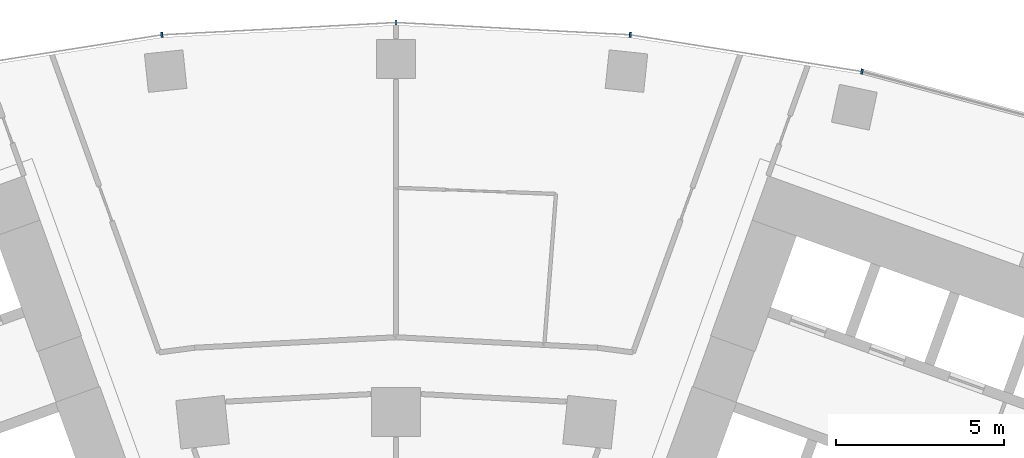
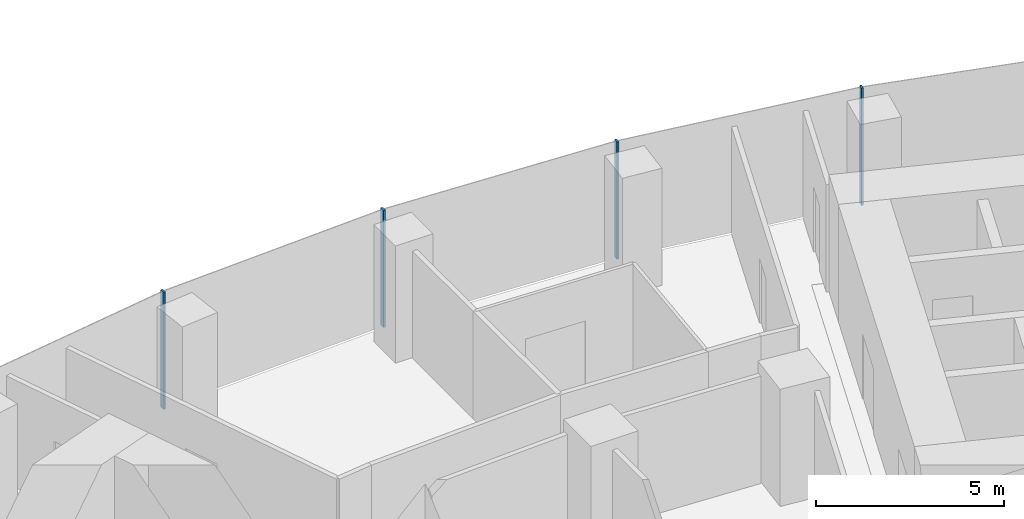
# One storey, part 6 of 20: 4 members, 1 element without a shape of its own.
"""IFC4 building model written with IfcOpenShell, lengths in metres."""

from ifc_helpers import new_model, si_unit, direction, frame, origin, origin_2d, place, context, subcontext, project, spatial, rectangle, extrude, material, layer, layer_set, material_profile, profile_set, type_object, element, aggregate, save


model = new_model("IFC4")

# Units and contexts
model_context = context("Model", 3, precision=1e-05, world=origin(), true_north=direction((0.0, 1.0)))
body_context = subcontext(model_context, "Body", "Model", "MODEL_VIEW")
ifc_project = project(units=[si_unit("LENGTHUNIT", "METRE"), si_unit("AREAUNIT", "SQUARE_METRE"), si_unit("VOLUMEUNIT", "CUBIC_METRE"), si_unit("PLANEANGLEUNIT", "RADIAN"), si_unit("MASSUNIT", "GRAM", prefix="KILO")], contexts=[model_context])

# Site, building, storey
site_placement = place(None, origin())
site = spatial("IfcSite", under=ifc_project, at=site_placement, CompositionType="ELEMENT")
building_placement = place(site_placement, origin())
building = spatial("IfcBuilding", under=site, at=building_placement, Name="Stone Belt Terrace Tower", CompositionType="ELEMENT")
storey_placement = place(building_placement, frame((0.0, 0.0, 102.199951171875)))
storey = spatial("IfcBuildingStorey", under=building, at=storey_placement, Name="L24", CompositionType="ELEMENT", Elevation=102.199951171875)

# Curtain wall, members
ifc_material = material(Name="Aluminium 6063-T6 anodised frame", Category="aluminium")
ifc_layer = layer(ifc_material, 0.14990234375)
ifc_layer_set = layer_set([ifc_layer], Name="CW-A unitised convex-face curtain wall")
curtain_wall_type = type_object("IfcCurtainWallType", Name="CW-A unitised convex-face curtain wall", PredefinedType="NOTDEFINED", material=ifc_layer_set)
curtain_wall_placement = place(storey_placement, origin())
curtain_wall = element("IfcCurtainWall", 1, at=curtain_wall_placement, inside=storey, type_object=curtain_wall_type, Name="CW-A convex face L24", PredefinedType="NOTDEFINED")
ifc_material_profile = material_profile(ifc_material, rectangle(XDim=0.14990234375, YDim=0.06005859375, at=origin_2d()), Name="Aluminium 6063-T6 60x150")
ifc_profile_set = profile_set([ifc_material_profile], Name="Aluminium 6063-T6 anodised frame")
member_type = type_object("IfcMemberType", Name="CW-A mullion 60 x 150", PredefinedType="MULLION", material=ifc_profile_set)
member_1_placement = place(storey_placement, frame((13.841796875, 65.120361328125, 0.0), z_axis=(0.0, 0.0, 1.0), x_axis=(-0.207911690818, -0.978147600734, 0.0)))
member_1 = element("IfcMember", 2, at=member_1_placement, type_object=member_type, Name="CW-A mullion 8", PredefinedType="MULLION", context=body_context, shape_type="SweptSolid", body=[
    extrude(rectangle(XDim=0.14990234375, YDim=0.06005859375, at=origin_2d()), origin(), (0.0, 0.0, 1.0), 3.800048828125),
])
member_2_placement = place(storey_placement, frame((6.958984375, 66.21044921875, 0.0), z_axis=(0.0, 0.0, 1.0), x_axis=(-0.104528463268, -0.994521895368, 0.0)))
member_2 = element("IfcMember", 3, at=member_2_placement, type_object=member_type, Name="CW-A mullion 9", PredefinedType="MULLION", context=body_context, shape_type="SweptSolid", body=[
    extrude(rectangle(XDim=0.14990234375, YDim=0.06005859375, at=origin_2d()), origin(), (0.0, 0.0, 1.0), 3.800048828125),
])
member_3_placement = place(storey_placement, frame((0.0, 66.5751953125, 0.0), z_axis=(0.0, 0.0, 1.0), x_axis=(0.0, -1.0, 0.0)))
member_3 = element("IfcMember", 4, at=member_3_placement, type_object=member_type, Name="CW-A mullion 10", PredefinedType="MULLION", context=body_context, shape_type="SweptSolid", body=[
    extrude(rectangle(XDim=0.14990234375, YDim=0.06005859375, at=origin_2d()), origin(), (0.0, 0.0, 1.0), 3.800048828125),
])
member_4_placement = place(storey_placement, frame((-6.958984375, 66.21044921875, 0.0), z_axis=(0.0, 0.0, 1.0), x_axis=(0.104528463268, -0.994521895368, 0.0)))
member_4 = element("IfcMember", 5, at=member_4_placement, type_object=member_type, Name="CW-A mullion 11", PredefinedType="MULLION", context=body_context, shape_type="SweptSolid", body=[
    extrude(rectangle(XDim=0.14990234375, YDim=0.06005859375, at=origin_2d()), origin(), (0.0, 0.0, 1.0), 3.800048828125),
])
aggregate(curtain_wall, [member_1, member_2, member_3, member_4])

save(model, "model.ifc")
